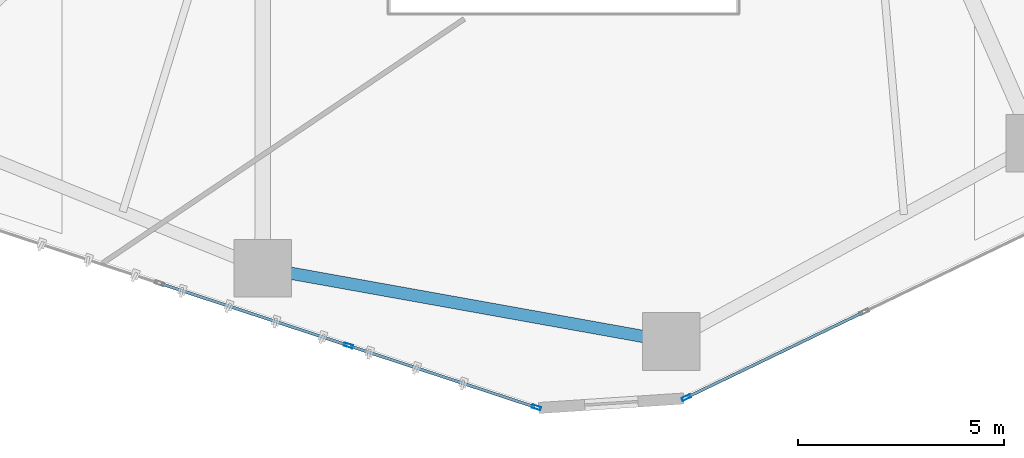
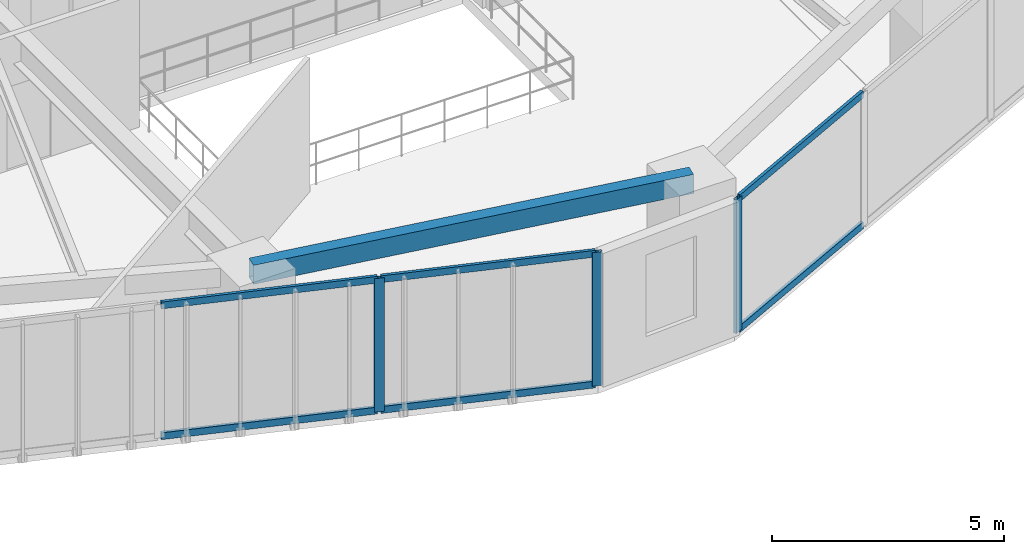
# One storey, part 4 of 23: 9 members, 1 beam, 2 elements without a shape of their own.
"""IFC4 building model written with IfcOpenShell, lengths in metres."""

from ifc_helpers import new_model, si_unit, direction, frame, origin, origin_2d, place, context, subcontext, project, spatial, hollow_rectangle, extrude, source, transform, mapped, material, layer, layer_set, material_profile, profile_set, type_object, type_shapes, element, aggregate, save


model = new_model("IFC4")

# Units and contexts
model_context = context("Model", 3, precision=1e-05, world=origin(), true_north=direction((0.0, 1.0)))
body_context = subcontext(model_context, "Body", "Model", "MODEL_VIEW")
ifc_project = project(units=[si_unit("LENGTHUNIT", "METRE"), si_unit("AREAUNIT", "SQUARE_METRE"), si_unit("VOLUMEUNIT", "CUBIC_METRE"), si_unit("PLANEANGLEUNIT", "RADIAN"), si_unit("MASSUNIT", "GRAM", prefix="KILO")], contexts=[model_context])

# Site, building, storey
site_placement = place(None, origin())
site = spatial("IfcSite", under=ifc_project, at=site_placement, CompositionType="ELEMENT")
building_placement = place(site_placement, origin())
building = spatial("IfcBuilding", under=site, at=building_placement, Name="Talar Marvaseh", CompositionType="ELEMENT")
storey_placement = place(building_placement, frame((0.0, 0.0, 35.39990234375)))
storey = spatial("IfcBuildingStorey", under=building, at=storey_placement, Name="L08", CompositionType="ELEMENT", Elevation=35.39990234375)

# Beam
ifc_material_1 = material(Name="Steel S355", Category="steel")
ifc_material_profile_1 = material_profile(ifc_material_1, hollow_rectangle(XDim=0.300048828125, YDim=0.5, WallThickness=0.02001953125, at=origin_2d()), Name="RHS500x300x20")
ifc_profile_set_1 = profile_set([ifc_material_profile_1], Name="Steel S355")
beam_type = type_object("IfcBeamType", Name="Zone 1 Perimeter Spandrel Beam RHS500x300x20", PredefinedType="SPANDREL", material=ifc_profile_set_1)
beam_placement = place(storey_placement, frame((28.625, 11.195068359375, 3.27001953125), z_axis=(-0.984279934962, 0.176615428632, 0.0), x_axis=(-0.176615428632, -0.984279934962, 0.0)))
element("IfcBeam", 1, at=beam_placement, inside=storey, type_object=beam_type, Name="L08 Zone 1 Perimeter Spandrel Beam RHS500x300x20", PredefinedType="SPANDREL", context=body_context, shape_type="SweptSolid", body=[
    extrude(hollow_rectangle(XDim=0.300048828125, YDim=0.5, WallThickness=0.02001953125, at=origin_2d()), origin(), (0.0, 0.0, 1.0), 10.1005859375),
])

# Curtain wall, member
ifc_material_2 = material(Name="Architectural Aluminium", Category="aluminium")
ifc_layer = layer(ifc_material_2, 0.219970703125)
ifc_layer_set = layer_set([ifc_layer], Name="Architectural Aluminium")
curtain_wall_type = type_object("IfcCurtainWallType", Name="Unitised Low-E Museum Curtain Wall Z1", PredefinedType="NOTDEFINED", material=ifc_layer_set)
curtain_wall_1_placement = place(storey_placement, origin())
curtain_wall_1 = element("IfcCurtainWall", 2, at=curtain_wall_1_placement, inside=storey, type_object=curtain_wall_type, Name="L08 Unitised Low-E Museum Curtain Wall Z1", PredefinedType="NOTDEFINED")
ifc_material_profile_2 = material_profile(ifc_material_2, hollow_rectangle(XDim=0.080078125, YDim=0.219970703125, WallThickness=0.0048828125, at=origin_2d()), Name="RHS220x80x5")
ifc_profile_set_2 = profile_set([ifc_material_profile_2], Name="Architectural Aluminium")
member_type_1 = type_object("IfcMemberType", Name="Unitised Curtain Wall Heavy Mullion RHS220x80x5", PredefinedType="MULLION", material=ifc_profile_set_2)
shared_shape_1 = source(origin(), body_context, "Body", "SweptSolid", [
    extrude(hollow_rectangle(XDim=0.080078125, YDim=0.219970703125, WallThickness=0.0048828125, at=origin_2d()), origin(), (0.0, 0.0, 1.0), 3.52001953125),
])
type_shapes(member_type_1, [shared_shape_1])
member_1_placement = place(storey_placement, frame((28.98974609375, 9.8310546875, 0.0), z_axis=(0.0, 0.0, 1.0), x_axis=(0.434307139856, -0.900764846267, 0.0)))
member_1 = element("IfcMember", 3, at=member_1_placement, type_object=member_type_1, Name="CW-Z1 mullion 6", PredefinedType="MULLION", context=body_context, shape_type="MappedRepresentation", body=[
    mapped(shared_shape_1, transform((0.0, 0.0, 0.0), x_axis=(1.0, 0.0, 0.0), y_axis=(0.0, 1.0, 0.0), z_axis=(0.0, 0.0, 1.0), scale=1.0)),
])

# Curtain wall, members
curtain_wall_2_placement = place(storey_placement, origin())
curtain_wall_2 = element("IfcCurtainWall", 4, at=curtain_wall_2_placement, inside=storey, type_object=curtain_wall_type, Name="L08 Unitised Low-E Museum Curtain Wall Z1", PredefinedType="NOTDEFINED")
member_2_placement = place(storey_placement, frame((25.34228515625, 9.592041015625, 0.0), z_axis=(0.0, 0.0, 1.0), x_axis=(-0.313018748843, -0.949746946756, 0.0)))
member_2 = element("IfcMember", 5, at=member_2_placement, type_object=member_type_1, Name="CW-Z1 mullion 1", PredefinedType="MULLION", context=body_context, shape_type="MappedRepresentation", body=[
    mapped(shared_shape_1, transform((0.0, 0.0, 0.0), x_axis=(1.0, 0.0, 0.0), y_axis=(0.0, 1.0, 0.0), z_axis=(0.0, 0.0, 1.0), scale=1.0)),
])
member_3_placement = place(storey_placement, frame((20.7783203125, 11.09619140625, 0.0), z_axis=(0.0, 0.0, 1.0), x_axis=(-0.313018748843, -0.949746946756, 0.0)))
member_3 = element("IfcMember", 6, at=member_3_placement, type_object=member_type_1, Name="CW-Z1 mullion 2", PredefinedType="MULLION", context=body_context, shape_type="MappedRepresentation", body=[
    mapped(shared_shape_1, transform((0.0, 0.0, 0.0), x_axis=(1.0, 0.0, 0.0), y_axis=(0.0, 1.0, 0.0), z_axis=(0.0, 0.0, 1.0), scale=1.0)),
])

# Member
ifc_material_profile_3 = material_profile(ifc_material_2, hollow_rectangle(XDim=0.074951171875, YDim=0.179931640625, WallThickness=0.0048828125, at=origin_2d()), Name="RHS180x75x5")
ifc_profile_set_3 = profile_set([ifc_material_profile_3], Name="Architectural Aluminium")
member_type_2 = type_object("IfcMemberType", Name="Unitised Curtain Wall Transom RHS180x75x5", PredefinedType="USERDEFINED", material=ifc_profile_set_3)
shared_shape_2 = source(origin(), body_context, "Body", "SweptSolid", [
    extrude(hollow_rectangle(XDim=0.074951171875, YDim=0.179931640625, WallThickness=0.0048828125, at=origin_2d()), origin(), (0.0, 0.0, 1.0), 4.725341796875),
])
member_4_placement = place(storey_placement, frame((33.281982421875, 11.900634765625, 0.03759765625), z_axis=(-0.900762184462, -0.434312660468, 0.0), x_axis=(0.434312660468, -0.900762184462, 0.0)))
member_4 = element("IfcMember", 7, at=member_4_placement, type_object=member_type_2, Name="CW-Z1 transom 5.1", ObjectType="TRANSOM", PredefinedType="USERDEFINED", context=body_context, shape_type="MappedRepresentation", body=[
    mapped(shared_shape_2, transform((0.0, 0.0, 0.0), x_axis=(1.0, 0.0, 0.0), y_axis=(0.0, 1.0, 0.0), z_axis=(0.0, 0.0, 1.0), scale=1.0)),
])

member_5_placement = place(storey_placement, frame((33.281982421875, 11.900634765625, 3.482666015625), z_axis=(-0.900762184462, -0.434312660468, 0.0), x_axis=(0.434312660468, -0.900762184462, 0.0)))
member_5 = element("IfcMember", 8, at=member_5_placement, type_object=member_type_2, Name="CW-Z1 transom 5.2", ObjectType="TRANSOM", PredefinedType="USERDEFINED", context=body_context, shape_type="MappedRepresentation", body=[
    mapped(shared_shape_2, transform((0.0, 0.0, 0.0), x_axis=(1.0, 0.0, 0.0), y_axis=(0.0, 1.0, 0.0), z_axis=(0.0, 0.0, 1.0), scale=1.0)),
])

aggregate(curtain_wall_1, [member_1, member_4, member_5])

member_6_placement = place(storey_placement, frame((25.30419921875, 9.6044921875, 0.03759765625), z_axis=(-0.949752504228, 0.313001886117, 0.0), x_axis=(-0.313001886117, -0.949752504228, 0.0)))
member_6 = element("IfcMember", 9, at=member_6_placement, type_object=member_type_2, Name="CW-Z1 transom 1.1", ObjectType="TRANSOM", PredefinedType="USERDEFINED", context=body_context, shape_type="MappedRepresentation", body=[
    mapped(shared_shape_2, transform((0.0, 0.0, 0.0), x_axis=(1.0, 0.0, 0.0), y_axis=(0.0, 1.0, 0.0), z_axis=(0.0, 0.0, 1.0), scale=1.0)),
])

member_7_placement = place(storey_placement, frame((25.30419921875, 9.6044921875, 3.482666015625), z_axis=(-0.949752504228, 0.313001886117, 0.0), x_axis=(-0.313001886117, -0.949752504228, 0.0)))
member_7 = element("IfcMember", 10, at=member_7_placement, type_object=member_type_2, Name="CW-Z1 transom 1.2", ObjectType="TRANSOM", PredefinedType="USERDEFINED", context=body_context, shape_type="MappedRepresentation", body=[
    mapped(shared_shape_2, transform((0.0, 0.0, 0.0), x_axis=(1.0, 0.0, 0.0), y_axis=(0.0, 1.0, 0.0), z_axis=(0.0, 0.0, 1.0), scale=1.0)),
])

shared_shape_3 = source(origin(), body_context, "Body", "SweptSolid", [
    extrude(hollow_rectangle(XDim=0.074951171875, YDim=0.179931640625, WallThickness=0.0048828125, at=origin_2d()), origin(), (0.0, 0.0, 1.0), 4.765380859375),
])
type_shapes(member_type_2, [shared_shape_2, shared_shape_3])
member_8_placement = place(storey_placement, frame((20.740478515625, 11.108642578125, 0.03759765625), z_axis=(-0.949743542461, 0.31302907781, 0.0), x_axis=(-0.31302907781, -0.949743542461, 0.0)))
member_8 = element("IfcMember", 11, at=member_8_placement, type_object=member_type_2, Name="CW-Z1 transom 2.1", ObjectType="TRANSOM", PredefinedType="USERDEFINED", context=body_context, shape_type="MappedRepresentation", body=[
    mapped(shared_shape_3, transform((0.0, 0.0, 0.0), x_axis=(1.0, 0.0, 0.0), y_axis=(0.0, 1.0, 0.0), z_axis=(0.0, 0.0, 1.0), scale=1.0)),
])

member_9_placement = place(storey_placement, frame((20.740478515625, 11.108642578125, 3.482666015625), z_axis=(-0.949743542461, 0.31302907781, 0.0), x_axis=(-0.31302907781, -0.949743542461, 0.0)))
member_9 = element("IfcMember", 12, at=member_9_placement, type_object=member_type_2, Name="CW-Z1 transom 2.2", ObjectType="TRANSOM", PredefinedType="USERDEFINED", context=body_context, shape_type="MappedRepresentation", body=[
    mapped(shared_shape_3, transform((0.0, 0.0, 0.0), x_axis=(1.0, 0.0, 0.0), y_axis=(0.0, 1.0, 0.0), z_axis=(0.0, 0.0, 1.0), scale=1.0)),
])

aggregate(curtain_wall_2, [member_2, member_3, member_6, member_7, member_8, member_9])

save(model, "model.ifc")
